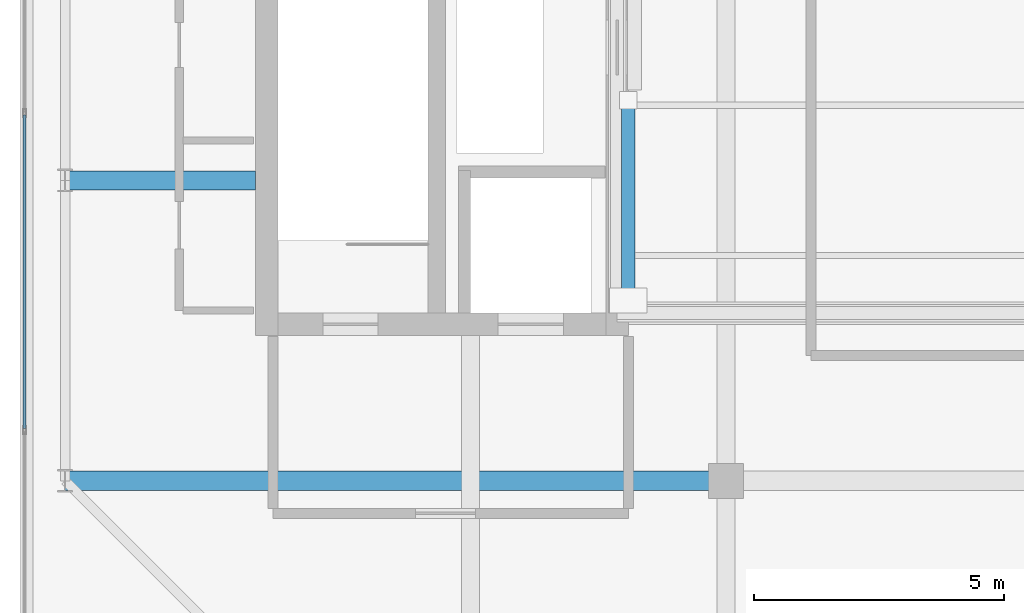
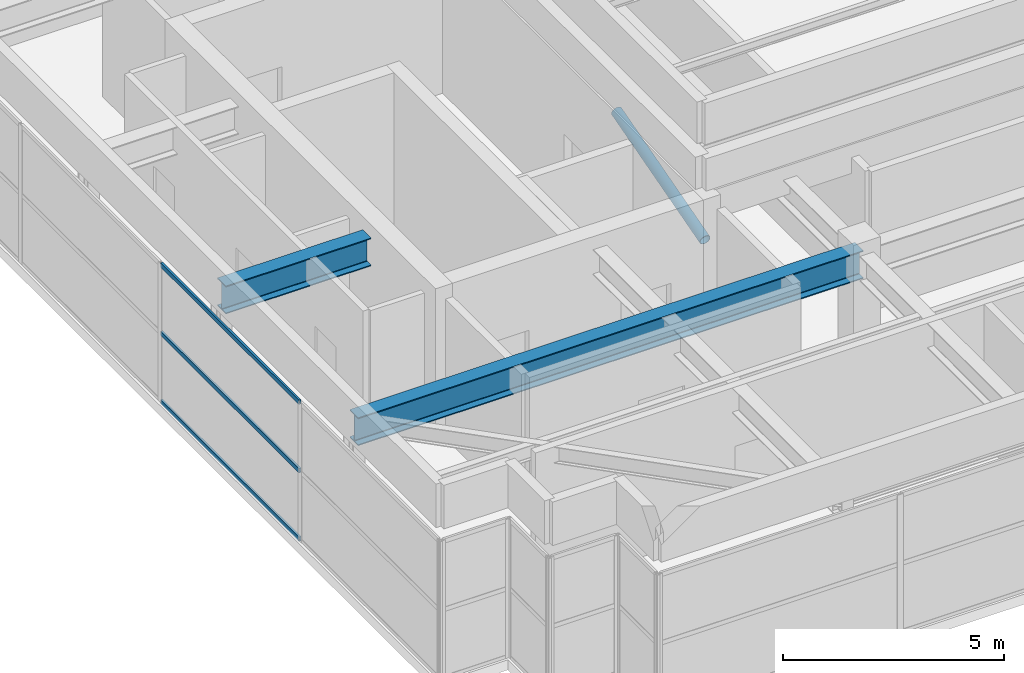
# One storey, part 6 of 33: 4 members, 2 beams, 1 element without a shape of its own.
"""IFC4 building model written with IfcOpenShell, lengths in metres."""

from ifc_helpers import new_model, si_unit, direction, frame, origin, origin_2d, place, context, subcontext, project, spatial, hollow_rectangle, hollow_circle, i_section, extrude, source, transform, mapped, material, layer, layer_set, material_profile, profile_set, type_object, element, aggregate, save


model = new_model("IFC4")

# Units and contexts
model_context = context("Model", 3, precision=1e-05, world=origin(), true_north=direction((0.0, 1.0)))
body_context = subcontext(model_context, "Body", "Model", "MODEL_VIEW")
ifc_project = project(units=[si_unit("LENGTHUNIT", "METRE"), si_unit("AREAUNIT", "SQUARE_METRE"), si_unit("VOLUMEUNIT", "CUBIC_METRE"), si_unit("PLANEANGLEUNIT", "RADIAN"), si_unit("MASSUNIT", "GRAM", prefix="KILO")], contexts=[model_context])

# Site, building, storey
site_placement = place(None, origin())
site = spatial("IfcSite", under=ifc_project, at=site_placement, CompositionType="ELEMENT")
building_placement = place(site_placement, origin())
building = spatial("IfcBuilding", under=site, at=building_placement, Name="Khoralis Quay Care Tower", CompositionType="ELEMENT")
storey_placement = place(building_placement, frame((0.0, 0.0, 314.699951171875)))
storey = spatial("IfcBuildingStorey", under=building, at=storey_placement, Name="L82", CompositionType="ELEMENT", Elevation=314.699951171875)

# Beams
ifc_material_1 = material(Name="Steel S355", Category="steel")
ifc_material_profile_1 = material_profile(ifc_material_1, i_section(OverallWidth=0.381103515625, OverallDepth=0.77294921875, WebThickness=0.0166015625, FlangeThickness=0.027587890625, FilletRadius=0.02197265625, at=origin_2d()), Name="Steel S355")
ifc_profile_set_1 = profile_set([ifc_material_profile_1], Name="Steel S355")
beam_type = type_object("IfcBeamType", Name="BM-W760X257", PredefinedType="BEAM", material=ifc_profile_set_1)
shared_shape_1 = source(origin(), body_context, "Body", "SweptSolid", [
    extrude(i_section(OverallWidth=0.381103515625, OverallDepth=0.77294921875, WebThickness=0.0166015625, FlangeThickness=0.027587890625, FilletRadius=0.02197265625, at=origin_2d()), origin(), (0.0, 0.0, 1.0), 13.2001953125),
])
beam_1_placement = place(storey_placement, frame((3.89990234375, 12.0, 3.45361328125), z_axis=(1.0, 0.0, 0.0), x_axis=(0.0, 1.0, 0.0)))
element("IfcBeam", 1, at=beam_1_placement, inside=storey, type_object=beam_type, Name="BM-TGXW-L82-120", PredefinedType="BEAM", context=body_context, shape_type="MappedRepresentation", body=[
    mapped(shared_shape_1, transform((0.0, 0.0, 0.0), scale=1.0)),
])
shared_shape_2 = source(origin(), body_context, "Body", "SweptSolid", [
    extrude(i_section(OverallWidth=0.381103515625, OverallDepth=0.77294921875, WebThickness=0.0166015625, FlangeThickness=0.027587890625, FilletRadius=0.02197265625, at=origin_2d()), origin(), (0.0, 0.0, 1.0), 3.802001953125),
])
beam_2_placement = place(storey_placement, frame((3.89990234375, 18.0, 3.45361328125), z_axis=(1.0, 0.0, 0.0), x_axis=(0.0, 1.0, 0.0)))
element("IfcBeam", 2, at=beam_2_placement, inside=storey, type_object=beam_type, Name="BM-TGXW-L82-180", PredefinedType="BEAM", context=body_context, shape_type="MappedRepresentation", body=[
    mapped(shared_shape_2, transform((0.0, 0.0, 0.0), scale=1.0)),
])

# Member
ifc_material_profile_2 = material_profile(ifc_material_1, hollow_circle(Radius=0.136474609375, WallThickness=0.012451171875, at=origin_2d()), Name="Steel S355")
ifc_profile_set_2 = profile_set([ifc_material_profile_2], Name="Steel S355")
member_type_1 = type_object("IfcMemberType", Name="ST-CHS273X12", PredefinedType="STRUT", material=ifc_profile_set_2)
shared_shape_3 = source(origin(), body_context, "Body", "SweptSolid", [
    extrude(hollow_circle(Radius=0.136474609375, WallThickness=0.012451171875, at=origin_2d()), origin(), (0.0, 0.0, 1.0), 4.156494140625),
])
member_1_placement = place(storey_placement, frame((15.14794921875, 15.60009765625, 2.52001953125), z_axis=(0.0, 0.962328782221, 0.271888423639), x_axis=(-1.0, 0.0, 0.0)))
element("IfcMember", 3, at=member_1_placement, inside=storey, type_object=member_type_1, Name="L82 Lantern Diagrid Strut 1", PredefinedType="STRUT", context=body_context, shape_type="MappedRepresentation", body=[
    mapped(shared_shape_3, transform((0.0, 0.0, 0.0), scale=1.0)),
])

# Curtain wall, members
ifc_material_2 = material(Name="Pale anodised aluminium", Category="aluminium")
ifc_layer = layer(ifc_material_2, 0.199951171875)
ifc_layer_set = layer_set([ifc_layer], Name="Pale anodised aluminium")
curtain_wall_type = type_object("IfcCurtainWallType", Name="CW-SYS-LANTERN", PredefinedType="NOTDEFINED", material=ifc_layer_set)
curtain_wall_placement = place(storey_placement, origin())
curtain_wall = element("IfcCurtainWall", 4, at=curtain_wall_placement, inside=storey, type_object=curtain_wall_type, Name="L82 Unitised Curtain Wall CW-LN-L82-16", PredefinedType="NOTDEFINED")
ifc_material_profile_3 = material_profile(ifc_material_2, hollow_rectangle(XDim=0.054931640625, YDim=0.1201171875, WallThickness=0.00390625, at=origin_2d()), Name="Pale anodised aluminium")
ifc_profile_set_3 = profile_set([ifc_material_profile_3], Name="Pale anodised aluminium")
member_type_2 = type_object("IfcMemberType", Name="CW-TRN-120", PredefinedType="USERDEFINED", material=ifc_profile_set_3)
shared_shape_4 = source(origin(), body_context, "Body", "SweptSolid", [
    extrude(hollow_rectangle(XDim=0.054931640625, YDim=0.1201171875, WallThickness=0.00390625, at=origin_2d()), origin(), (0.0, 0.0, 1.0), 6.26416015625),
])
member_2_placement = place(storey_placement, frame((3.090087890625, 19.30810546875, 0.030029296875), z_axis=(0.0, -1.0, 0.0), x_axis=(1.0, 0.0, 0.0)))
member_2 = element("IfcMember", 5, at=member_2_placement, type_object=member_type_2, Name="CW5 transom 4.1", ObjectType="TRANSOM", PredefinedType="USERDEFINED", context=body_context, shape_type="MappedRepresentation", body=[
    mapped(shared_shape_4, transform((0.0, 0.0, 0.0), scale=1.0)),
])
member_3_placement = place(storey_placement, frame((3.090087890625, 19.30810546875, 1.920166015625), z_axis=(0.0, -1.0, 0.0), x_axis=(1.0, 0.0, 0.0)))
member_3 = element("IfcMember", 6, at=member_3_placement, type_object=member_type_2, Name="CW5 transom 4.2", ObjectType="TRANSOM", PredefinedType="USERDEFINED", context=body_context, shape_type="MappedRepresentation", body=[
    mapped(shared_shape_4, transform((0.0, 0.0, 0.0), scale=1.0)),
])
member_4_placement = place(storey_placement, frame((3.090087890625, 19.30810546875, 3.81005859375), z_axis=(0.0, -1.0, 0.0), x_axis=(1.0, 0.0, 0.0)))
member_4 = element("IfcMember", 7, at=member_4_placement, type_object=member_type_2, Name="CW5 transom 4.3", ObjectType="TRANSOM", PredefinedType="USERDEFINED", context=body_context, shape_type="MappedRepresentation", body=[
    mapped(shared_shape_4, transform((0.0, 0.0, 0.0), scale=1.0)),
])
aggregate(curtain_wall, [member_2, member_3, member_4])

save(model, "model.ifc")
